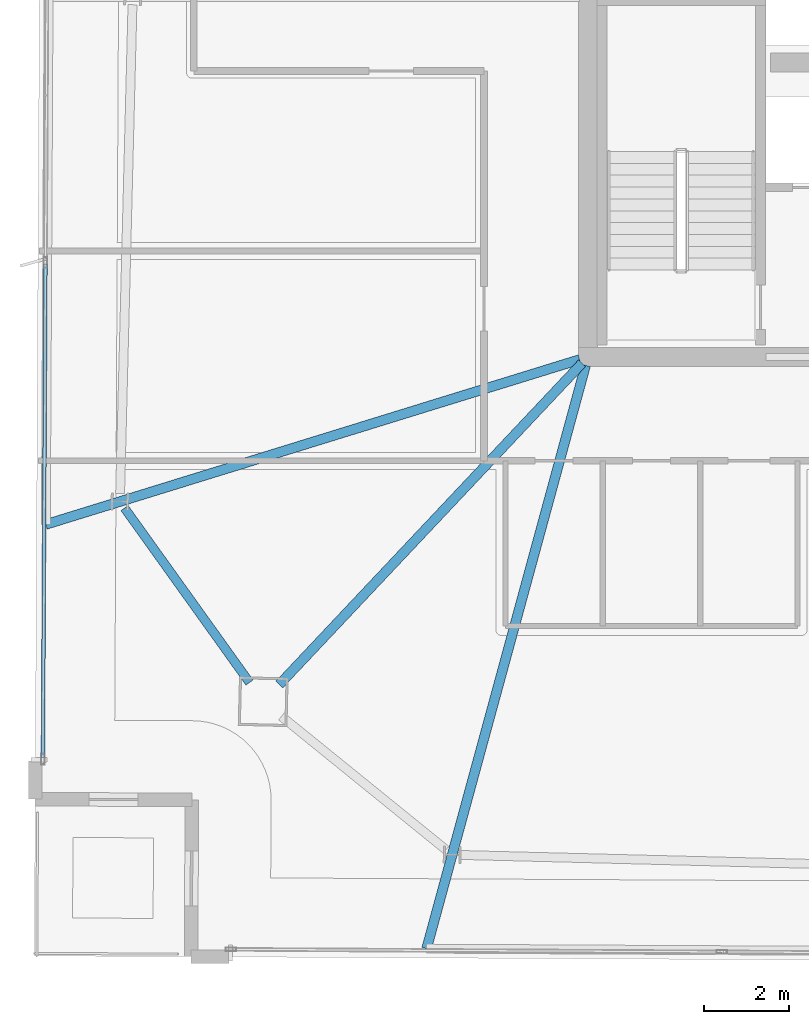
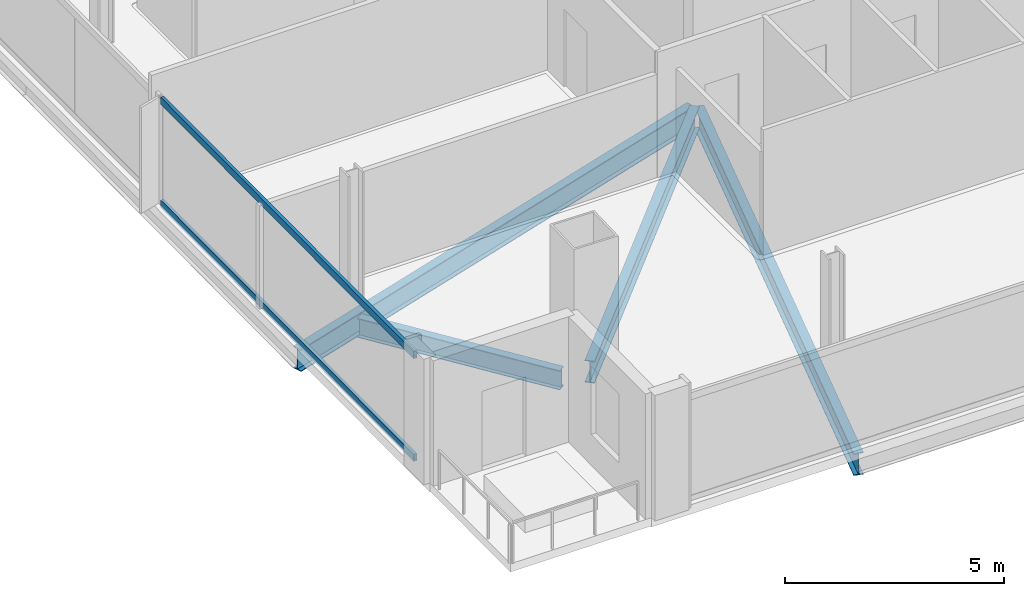
# One storey, part 3 of 24: 4 beams, 2 members, 1 element without a shape of its own.
"""IFC4 building model written with IfcOpenShell, lengths in metres."""

from ifc_helpers import new_model, si_unit, direction, frame, origin, origin_2d, place, context, subcontext, project, spatial, hollow_rectangle, i_section, extrude, material, material_profile, profile_set, type_object, element, aggregate, save


model = new_model("IFC4")

# Units and contexts
model_context = context("Model", 3, precision=1e-05, world=origin(), true_north=direction((0.0, 1.0)))
body_context = subcontext(model_context, "Body", "Model", "MODEL_VIEW")
ifc_project = project(units=[si_unit("LENGTHUNIT", "METRE"), si_unit("AREAUNIT", "SQUARE_METRE"), si_unit("VOLUMEUNIT", "CUBIC_METRE"), si_unit("PLANEANGLEUNIT", "RADIAN"), si_unit("MASSUNIT", "GRAM", prefix="KILO")], contexts=[model_context])

# Site, building, storey
site_placement = place(None, origin())
site = spatial("IfcSite", under=ifc_project, at=site_placement, CompositionType="ELEMENT")
building_placement = place(site_placement, origin())
building = spatial("IfcBuilding", under=site, at=building_placement, Name="Haldenkirk Collegiate Tower", CompositionType="ELEMENT")
storey_placement = place(building_placement, frame((0.0, 0.0, 328.949951171875)))
storey = spatial("IfcBuildingStorey", under=building, at=storey_placement, Name="L83", CompositionType="ELEMENT", Elevation=328.949951171875)

# Beams
ifc_material_1 = material(Name="Steel ASTM A992 Grade 50", Category="steel")
ifc_material_profile_1 = material_profile(ifc_material_1, i_section(OverallWidth=0.22998046875, OverallDepth=0.616943359375, WebThickness=0.01318359375, FlangeThickness=0.022216796875, at=origin_2d()), Name="W24X94")
ifc_profile_set_1 = profile_set([ifc_material_profile_1], Name="Steel ASTM A992 Grade 50")
beam_type_1 = type_object("IfcBeamType", Name="BM-GIRDER-W24X94", PredefinedType="BEAM", material=ifc_profile_set_1)
beam_1_placement = place(storey_placement, frame((19.717041015625, 10.2705078125, -0.568359375), z_axis=(0.685767478835, 0.72782069562, 0.0), x_axis=(-0.72782069562, 0.685767478835, 0.0)))
element("IfcBeam", 1, at=beam_1_placement, inside=storey, type_object=beam_type_1, Name="L83 primary floor girder 04", PredefinedType="BEAM", context=body_context, shape_type="SweptSolid", body=[
    extrude(i_section(OverallWidth=0.22998046875, OverallDepth=0.616943359375, WebThickness=0.01318359375, FlangeThickness=0.022216796875, at=origin_2d()), origin(), (0.0, 0.0, 1.0), 10.4150390625),
])
beam_2_placement = place(storey_placement, frame((14.20703125, 14.047607421875, -0.568359375), z_axis=(0.955441672611, 0.295179962461, 0.0), x_axis=(-0.295179962461, 0.955441672611, 0.0)))
element("IfcBeam", 2, at=beam_2_placement, inside=storey, type_object=beam_type_1, Name="L83 primary floor girder 13", PredefinedType="BEAM", context=body_context, shape_type="SweptSolid", body=[
    extrude(i_section(OverallWidth=0.22998046875, OverallDepth=0.616943359375, WebThickness=0.01318359375, FlangeThickness=0.022216796875, at=origin_2d()), origin(), (0.0, 0.0, 1.0), 13.1845703125),
])
beam_3_placement = place(storey_placement, frame((23.192138671875, 4.036865234375, -0.568359375), z_axis=(0.263098583653, 0.964768954351, 0.0), x_axis=(-0.964768954351, 0.263098583653, 0.0)))
element("IfcBeam", 3, at=beam_3_placement, inside=storey, type_object=beam_type_1, Name="L83 primary floor girder 14", PredefinedType="BEAM", context=body_context, shape_type="SweptSolid", body=[
    extrude(i_section(OverallWidth=0.22998046875, OverallDepth=0.616943359375, WebThickness=0.01318359375, FlangeThickness=0.022216796875, at=origin_2d()), origin(), (0.0, 0.0, 1.0), 14.26806640625),
])
ifc_material_profile_2 = material_profile(ifc_material_1, i_section(OverallWidth=0.2099609375, OverallDepth=0.537109375, WebThickness=0.010986328125, FlangeThickness=0.017333984375, at=origin_2d()), Name="W21X68")
ifc_profile_set_2 = profile_set([ifc_material_profile_2], Name="Steel ASTM A992 Grade 50")
beam_type_2 = type_object("IfcBeamType", Name="BM-SPANDREL-W21X68", PredefinedType="SPANDREL", material=ifc_profile_set_2)
beam_4_placement = place(storey_placement, frame((16.064208984375, 14.434814453125, -0.528564453125), z_axis=(0.582300220922, -0.812973832737, 0.0), x_axis=(0.812973832737, 0.582300220922, 0.0)))
element("IfcBeam", 4, at=beam_4_placement, inside=storey, type_object=beam_type_2, Name="L83 perimeter spandrel beam 12", PredefinedType="SPANDREL", context=body_context, shape_type="SweptSolid", body=[
    extrude(i_section(OverallWidth=0.2099609375, OverallDepth=0.537109375, WebThickness=0.010986328125, FlangeThickness=0.017333984375, at=origin_2d()), origin(), (0.0, 0.0, 1.0), 5.064453125),
])

# Curtain wall, members
ifc_material_2 = material(Name="Anodised architectural bronze aluminium", Category="aluminium")
curtain_wall_type = type_object("IfcCurtainWallType", Name="CW-SYS1B-CONVEX-HI", PredefinedType="USERDEFINED", material=ifc_material_2)
curtain_wall_placement = place(storey_placement, origin())
curtain_wall = element("IfcCurtainWall", 5, at=curtain_wall_placement, inside=storey, type_object=curtain_wall_type, Name="L83 Upper tower high-wind convex bronze unitised curtain wall", ObjectType="UNITISED CURTAIN WALL", PredefinedType="USERDEFINED")
ifc_material_profile_3 = material_profile(ifc_material_2, hollow_rectangle(XDim=0.0849609375, YDim=0.199951171875, WallThickness=0.0048828125, at=origin_2d()), Name="CW-TRN-1B")
ifc_profile_set_3 = profile_set([ifc_material_profile_3], Name="Anodised architectural bronze aluminium")
member_type = type_object("IfcMemberType", Name="CW-TRN-1B", PredefinedType="USERDEFINED", material=ifc_profile_set_3)
member_1_placement = place(storey_placement, frame((14.138427734375, 8.54931640625, 0.04248046875), z_axis=(0.005223011005, 0.999986359985, 0.0), x_axis=(-0.999986359985, 0.005223011005, 0.0)))
member_1 = element("IfcMember", 6, at=member_1_placement, type_object=member_type, Name="CW-1B transom 1.1", ObjectType="TRANSOM", PredefinedType="USERDEFINED", context=body_context, shape_type="SweptSolid", body=[
    extrude(hollow_rectangle(XDim=0.0849609375, YDim=0.199951171875, WallThickness=0.0048828125, at=origin_2d()), origin(), (0.0, 0.0, 1.0), 11.63916015625),
])
member_2_placement = place(storey_placement, frame((14.138427734375, 8.54931640625, 2.905517578125), z_axis=(0.005223011005, 0.999986359985, 0.0), x_axis=(-0.999986359985, 0.005223011005, 0.0)))
member_2 = element("IfcMember", 7, at=member_2_placement, type_object=member_type, Name="CW-1B transom 1.2", ObjectType="TRANSOM", PredefinedType="USERDEFINED", context=body_context, shape_type="SweptSolid", body=[
    extrude(hollow_rectangle(XDim=0.0849609375, YDim=0.199951171875, WallThickness=0.0048828125, at=origin_2d()), origin(), (0.0, 0.0, 1.0), 11.63916015625),
])
aggregate(curtain_wall, [member_1, member_2])

save(model, "model.ifc")
